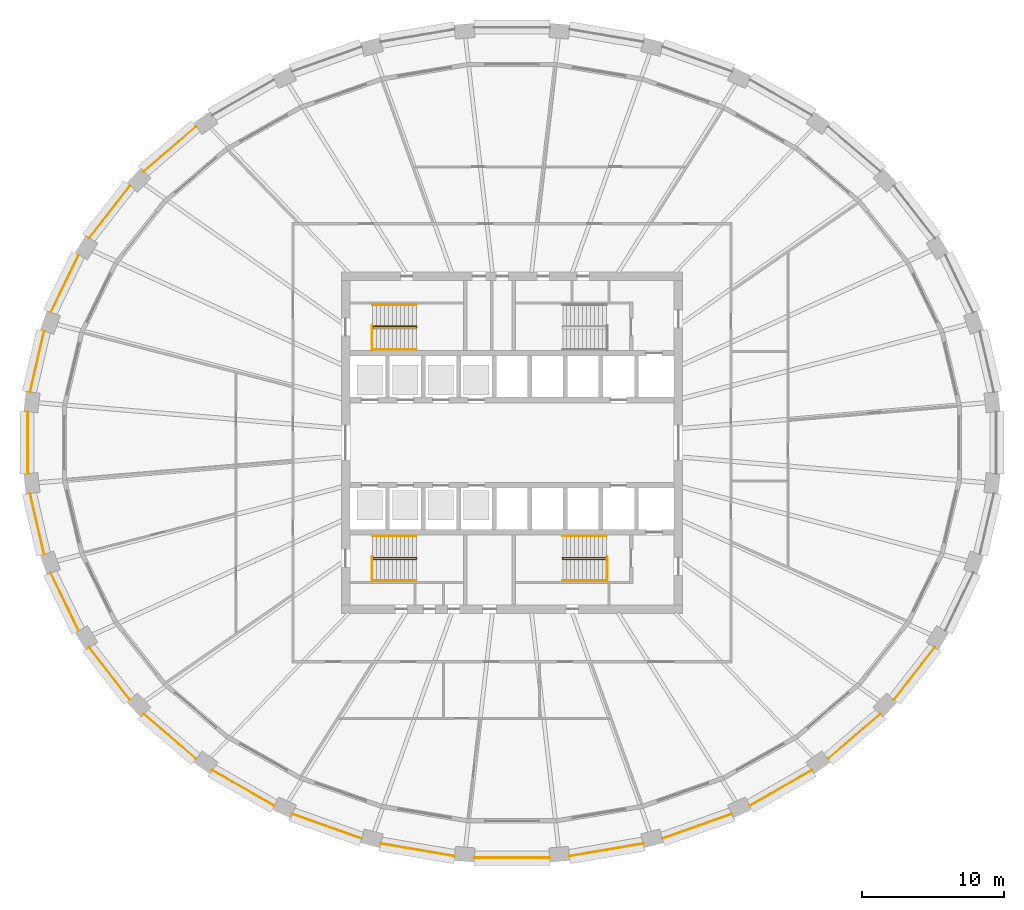
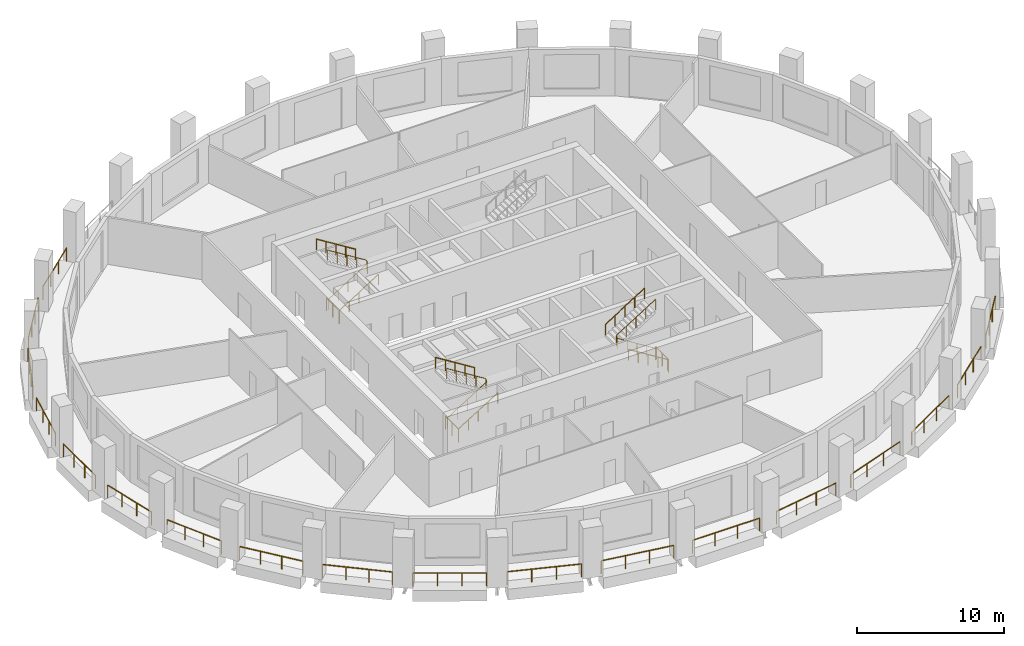
# One storey, part 9 of 11: 30 railings.
"""IFC4 building model written with IfcOpenShell, lengths in metres."""

from ifc_helpers import new_model, si_unit, direction, frame, origin, origin_2d, place, context, subcontext, project, spatial, circle, extrude, material, type_object, element, save


model = new_model("IFC4")

# Units and contexts
model_context = context("Model", 3, precision=1e-05, world=origin(), true_north=direction((0.0, 1.0)))
body_context = subcontext(model_context, "Body", "Model", "MODEL_VIEW")
ifc_project = project(units=[si_unit("LENGTHUNIT", "METRE"), si_unit("AREAUNIT", "SQUARE_METRE"), si_unit("VOLUMEUNIT", "CUBIC_METRE"), si_unit("PLANEANGLEUNIT", "RADIAN"), si_unit("MASSUNIT", "GRAM", prefix="KILO")], contexts=[model_context])

# Site, building, storey
site_placement = place(None, origin())
site = spatial("IfcSite", under=ifc_project, at=site_placement, CompositionType="ELEMENT")
building_placement = place(site_placement, origin())
building = spatial("IfcBuilding", under=site, at=building_placement, Name="Halqa Exchange Tower", CompositionType="ELEMENT")
storey_placement = place(building_placement, frame((0.0, 0.0, 150.699951171875)))
storey = spatial("IfcBuildingStorey", under=building, at=storey_placement, Name="L34", CompositionType="ELEMENT", Elevation=150.699951171875)

# Railings
ifc_material = material(Name="Stainless steel", Category="steel")
railing_type_1 = type_object("IfcRailingType", Name="Guard 1100 stainless steel", PredefinedType="GUARDRAIL", material=ifc_material)
railing_1_placement = place(storey_placement, frame((-22.239501953125, 22.216796875, 0.0)))
element("IfcRailing", 1, at=railing_1_placement, inside=storey, type_object=railing_type_1, Name="Loggia guard 12", PredefinedType="GUARDRAIL", context=body_context, shape_type="SweptSolid", body=[
    extrude(circle(Radius=0.02392578125, at=origin_2d()), frame((0.0, 0.0, 1.076171875), z_axis=(-0.759270824179, -0.650774780973, 0.0), x_axis=(0.650774780973, -0.759270824179, 0.0)), (0.0, 0.0, 1.0), 4.846923828125),
    extrude(circle(Radius=0.02099609375, at=origin_2d()), origin(), (0.0, 0.0, 1.0), 1.052001953125),
    extrude(circle(Radius=0.02099609375, at=origin_2d()), frame((-1.226806640625, -1.051513671875, 0.0)), (0.0, 0.0, 1.0), 1.052001953125),
    extrude(circle(Radius=0.02099609375, at=origin_2d()), frame((-2.453369140625, -2.102783203125, 0.0)), (0.0, 0.0, 1.0), 1.052001953125),
    extrude(circle(Radius=0.02099609375, at=origin_2d()), frame((-3.68017578125, -3.154296875, 0.0)), (0.0, 0.0, 1.0), 1.052001953125),
])
railing_2_placement = place(storey_placement, frame((-26.881591796875, 18.0546875, 0.0)))
element("IfcRailing", 2, at=railing_2_placement, inside=storey, type_object=railing_type_1, Name="Loggia guard 13", PredefinedType="GUARDRAIL", context=body_context, shape_type="SweptSolid", body=[
    extrude(circle(Radius=0.02392578125, at=origin_2d()), frame((0.0, 0.0, 1.076171875), z_axis=(-0.614803187678, -0.788680569319, 0.0), x_axis=(0.788680569319, -0.614803187678, 0.0)), (0.0, 0.0, 1.0), 4.66162109375),
    extrude(circle(Radius=0.02099609375, at=origin_2d()), origin(), (0.0, 0.0, 1.0), 1.052001953125),
    extrude(circle(Radius=0.02099609375, at=origin_2d()), frame((-0.955322265625, -1.2255859375, 0.0)), (0.0, 0.0, 1.0), 1.052001953125),
    extrude(circle(Radius=0.02099609375, at=origin_2d()), frame((-1.91064453125, -2.450927734375, 0.0)), (0.0, 0.0, 1.0), 1.052001953125),
    extrude(circle(Radius=0.02099609375, at=origin_2d()), frame((-2.865966796875, -3.676513671875, 0.0)), (0.0, 0.0, 1.0), 1.052001953125),
])
railing_3_placement = place(storey_placement, frame((-30.482421875, 13.19580078125, 0.0)))
element("IfcRailing", 3, at=railing_3_placement, inside=storey, type_object=railing_type_1, Name="Loggia guard 14", PredefinedType="GUARDRAIL", context=body_context, shape_type="SweptSolid", body=[
    extrude(circle(Radius=0.02392578125, at=origin_2d()), frame((0.0, 0.0, 1.076171875), z_axis=(-0.435128344221, -0.900368437949, 0.0), x_axis=(0.900368437949, -0.435128344221, 0.0)), (0.0, 0.0, 1.0), 4.499755859375),
    extrude(circle(Radius=0.02099609375, at=origin_2d()), origin(), (0.0, 0.0, 1.0), 1.052001953125),
    extrude(circle(Radius=0.02099609375, at=origin_2d()), frame((-0.652587890625, -1.3505859375, 0.0)), (0.0, 0.0, 1.0), 1.052001953125),
    extrude(circle(Radius=0.02099609375, at=origin_2d()), frame((-1.305419921875, -2.700927734375, 0.0)), (0.0, 0.0, 1.0), 1.052001953125),
    extrude(circle(Radius=0.02099609375, at=origin_2d()), frame((-1.9580078125, -4.051513671875, 0.0)), (0.0, 0.0, 1.0), 1.052001953125),
])
railing_4_placement = place(storey_placement, frame((-32.9033203125, 7.832275390625, 0.0)))
element("IfcRailing", 4, at=railing_4_placement, inside=storey, type_object=railing_type_1, Name="Loggia guard 15", PredefinedType="GUARDRAIL", context=body_context, shape_type="SweptSolid", body=[
    extrude(circle(Radius=0.02392578125, at=origin_2d()), frame((0.0, 0.0, 1.076171875), z_axis=(-0.226049596657, -0.974115793862, 0.0), x_axis=(0.974115793862, -0.226049596657, 0.0)), (0.0, 0.0, 1.0), 4.38916015625),
    extrude(circle(Radius=0.02099609375, at=origin_2d()), origin(), (0.0, 0.0, 1.0), 1.052001953125),
    extrude(circle(Radius=0.02099609375, at=origin_2d()), frame((-0.330810546875, -1.42529296875, 0.0)), (0.0, 0.0, 1.0), 1.052001953125),
    extrude(circle(Radius=0.02099609375, at=origin_2d()), frame((-0.661376953125, -2.850341796875, 0.0)), (0.0, 0.0, 1.0), 1.052001953125),
    extrude(circle(Radius=0.02099609375, at=origin_2d()), frame((-0.9921875, -4.275634765625, 0.0)), (0.0, 0.0, 1.0), 1.052001953125),
])
railing_5_placement = place(storey_placement, frame((-34.0537109375, 2.1748046875, 0.0)))
element("IfcRailing", 5, at=railing_5_placement, inside=storey, type_object=railing_type_1, Name="Loggia guard 16", PredefinedType="GUARDRAIL", context=body_context, shape_type="SweptSolid", body=[
    extrude(circle(Radius=0.02392578125, at=origin_2d()), frame((0.0, 0.0, 1.076171875), z_axis=(0.0, -1.0, 0.0), x_axis=(1.0, 0.0, 0.0)), (0.0, 0.0, 1.0), 4.349609375),
    extrude(circle(Radius=0.02099609375, at=origin_2d()), origin(), (0.0, 0.0, 1.0), 1.052001953125),
    extrude(circle(Radius=0.02099609375, at=origin_2d()), frame((0.0, -1.449951171875, 0.0)), (0.0, 0.0, 1.0), 1.052001953125),
    extrude(circle(Radius=0.02099609375, at=origin_2d()), frame((0.0, -2.899658203125, 0.0)), (0.0, 0.0, 1.0), 1.052001953125),
    extrude(circle(Radius=0.02099609375, at=origin_2d()), frame((0.0, -4.349609375, 0.0)), (0.0, 0.0, 1.0), 1.052001953125),
])
railing_6_placement = place(storey_placement, frame((-33.8955078125, -3.556640625, 0.0)))
element("IfcRailing", 6, at=railing_6_placement, inside=storey, type_object=railing_type_1, Name="Loggia guard 17", PredefinedType="GUARDRAIL", context=body_context, shape_type="SweptSolid", body=[
    extrude(circle(Radius=0.02392578125, at=origin_2d()), frame((0.0, 0.0, 1.076171875), z_axis=(0.226049596657, -0.974115793862, 0.0), x_axis=(0.974115793862, 0.226049596657, 0.0)), (0.0, 0.0, 1.0), 4.38916015625),
    extrude(circle(Radius=0.02099609375, at=origin_2d()), origin(), (0.0, 0.0, 1.0), 1.052001953125),
    extrude(circle(Radius=0.02099609375, at=origin_2d()), frame((0.330810546875, -1.42529296875, 0.0)), (0.0, 0.0, 1.0), 1.052001953125),
    extrude(circle(Radius=0.02099609375, at=origin_2d()), frame((0.661376953125, -2.850341796875, 0.0)), (0.0, 0.0, 1.0), 1.052001953125),
    extrude(circle(Radius=0.02099609375, at=origin_2d()), frame((0.9921875, -4.275634765625, 0.0)), (0.0, 0.0, 1.0), 1.052001953125),
])
railing_7_placement = place(storey_placement, frame((-32.4404296875, -9.144287109375, 0.0)))
element("IfcRailing", 7, at=railing_7_placement, inside=storey, type_object=railing_type_1, Name="Loggia guard 18", PredefinedType="GUARDRAIL", context=body_context, shape_type="SweptSolid", body=[
    extrude(circle(Radius=0.02392578125, at=origin_2d()), frame((0.0, 0.0, 1.076171875), z_axis=(0.435128344221, -0.900368437949, 0.0), x_axis=(0.900368437949, 0.435128344221, 0.0)), (0.0, 0.0, 1.0), 4.499755859375),
    extrude(circle(Radius=0.02099609375, at=origin_2d()), origin(), (0.0, 0.0, 1.0), 1.052001953125),
    extrude(circle(Radius=0.02099609375, at=origin_2d()), frame((0.652587890625, -1.3505859375, 0.0)), (0.0, 0.0, 1.0), 1.052001953125),
    extrude(circle(Radius=0.02099609375, at=origin_2d()), frame((1.305419921875, -2.700927734375, 0.0)), (0.0, 0.0, 1.0), 1.052001953125),
    extrude(circle(Radius=0.02099609375, at=origin_2d()), frame((1.9580078125, -4.051513671875, 0.0)), (0.0, 0.0, 1.0), 1.052001953125),
])
railing_8_placement = place(storey_placement, frame((-29.74755859375, -14.378173828125, 0.0)))
element("IfcRailing", 8, at=railing_8_placement, inside=storey, type_object=railing_type_1, Name="Loggia guard 19", PredefinedType="GUARDRAIL", context=body_context, shape_type="SweptSolid", body=[
    extrude(circle(Radius=0.02392578125, at=origin_2d()), frame((0.0, 0.0, 1.076171875), z_axis=(0.614803187678, -0.788680569319, 0.0), x_axis=(0.788680569319, 0.614803187678, 0.0)), (0.0, 0.0, 1.0), 4.66162109375),
    extrude(circle(Radius=0.02099609375, at=origin_2d()), origin(), (0.0, 0.0, 1.0), 1.052001953125),
    extrude(circle(Radius=0.02099609375, at=origin_2d()), frame((0.955322265625, -1.2255859375, 0.0)), (0.0, 0.0, 1.0), 1.052001953125),
    extrude(circle(Radius=0.02099609375, at=origin_2d()), frame((1.91064453125, -2.450927734375, 0.0)), (0.0, 0.0, 1.0), 1.052001953125),
    extrude(circle(Radius=0.02099609375, at=origin_2d()), frame((2.865966796875, -3.676513671875, 0.0)), (0.0, 0.0, 1.0), 1.052001953125),
])
railing_9_placement = place(storey_placement, frame((-25.919677734375, -19.0625, 0.0)))
element("IfcRailing", 9, at=railing_9_placement, inside=storey, type_object=railing_type_1, Name="Loggia guard 20", PredefinedType="GUARDRAIL", context=body_context, shape_type="SweptSolid", body=[
    extrude(circle(Radius=0.02392578125, at=origin_2d()), frame((0.0, 0.0, 1.076171875), z_axis=(0.759270824179, -0.650774780973, 0.0), x_axis=(0.650774780973, 0.759270824179, 0.0)), (0.0, 0.0, 1.0), 4.846923828125),
    extrude(circle(Radius=0.02099609375, at=origin_2d()), origin(), (0.0, 0.0, 1.0), 1.052001953125),
    extrude(circle(Radius=0.02099609375, at=origin_2d()), frame((1.226806640625, -1.051513671875, 0.0)), (0.0, 0.0, 1.0), 1.052001953125),
    extrude(circle(Radius=0.02099609375, at=origin_2d()), frame((2.453369140625, -2.102783203125, 0.0)), (0.0, 0.0, 1.0), 1.052001953125),
    extrude(circle(Radius=0.02099609375, at=origin_2d()), frame((3.68017578125, -3.154296875, 0.0)), (0.0, 0.0, 1.0), 1.052001953125),
])
railing_10_placement = place(storey_placement, frame((-21.1005859375, -23.0205078125, 0.0)))
element("IfcRailing", 10, at=railing_10_placement, inside=storey, type_object=railing_type_1, Name="Loggia guard 21", PredefinedType="GUARDRAIL", context=body_context, shape_type="SweptSolid", body=[
    extrude(circle(Radius=0.02392578125, at=origin_2d()), frame((0.0, 0.0, 1.076171875), z_axis=(0.867791535893, -0.496928415601, 0.0), x_axis=(0.496928415601, 0.867791535893, 0.0)), (0.0, 0.0, 1.0), 5.027587890625),
    extrude(circle(Radius=0.02099609375, at=origin_2d()), origin(), (0.0, 0.0, 1.0), 1.052001953125),
    extrude(circle(Radius=0.02099609375, at=origin_2d()), frame((1.454345703125, -0.832763671875, 0.0)), (0.0, 0.0, 1.0), 1.052001953125),
    extrude(circle(Radius=0.02099609375, at=origin_2d()), frame((2.908447265625, -1.66552734375, 0.0)), (0.0, 0.0, 1.0), 1.052001953125),
    extrude(circle(Radius=0.02099609375, at=origin_2d()), frame((4.36279296875, -2.498291015625, 0.0)), (0.0, 0.0, 1.0), 1.052001953125),
])
railing_11_placement = place(storey_placement, frame((-15.470703125, -26.10107421875, 0.0)))
element("IfcRailing", 11, at=railing_11_placement, inside=storey, type_object=railing_type_1, Name="Loggia guard 22", PredefinedType="GUARDRAIL", context=body_context, shape_type="SweptSolid", body=[
    extrude(circle(Radius=0.02392578125, at=origin_2d()), frame((0.0, 0.0, 1.076171875), z_axis=(0.942363475119, -0.33459091554, 0.0), x_axis=(0.33459091554, 0.942363475119, 0.0)), (0.0, 0.0, 1.0), 5.17626953125),
    extrude(circle(Radius=0.02099609375, at=origin_2d()), origin(), (0.0, 0.0, 1.0), 1.052001953125),
    extrude(circle(Radius=0.02099609375, at=origin_2d()), frame((1.6259765625, -0.577392578125, 0.0)), (0.0, 0.0, 1.0), 1.052001953125),
    extrude(circle(Radius=0.02099609375, at=origin_2d()), frame((3.251953125, -1.154541015625, 0.0)), (0.0, 0.0, 1.0), 1.052001953125),
    extrude(circle(Radius=0.02099609375, at=origin_2d()), frame((4.8779296875, -1.73193359375, 0.0)), (0.0, 0.0, 1.0), 1.052001953125),
])
railing_12_placement = place(storey_placement, frame((-9.2431640625, -28.184814453125, 0.0)))
element("IfcRailing", 12, at=railing_12_placement, inside=storey, type_object=railing_type_1, Name="Loggia guard 23", PredefinedType="GUARDRAIL", context=body_context, shape_type="SweptSolid", body=[
    extrude(circle(Radius=0.02392578125, at=origin_2d()), frame((0.0, 0.0, 1.076171875), z_axis=(0.985774047585, -0.168075956366, 0.0), x_axis=(0.168075956366, 0.985774047585, 0.0)), (0.0, 0.0, 1.0), 5.274169921875),
    extrude(circle(Radius=0.02099609375, at=origin_2d()), origin(), (0.0, 0.0, 1.0), 1.052001953125),
    extrude(circle(Radius=0.02099609375, at=origin_2d()), frame((1.733154296875, -0.29541015625, 0.0)), (0.0, 0.0, 1.0), 1.052001953125),
    extrude(circle(Radius=0.02099609375, at=origin_2d()), frame((3.466064453125, -0.591064453125, 0.0)), (0.0, 0.0, 1.0), 1.052001953125),
    extrude(circle(Radius=0.02099609375, at=origin_2d()), frame((5.19921875, -0.886474609375, 0.0)), (0.0, 0.0, 1.0), 1.052001953125),
])
railing_13_placement = place(storey_placement, frame((-2.654052734375, -29.18896484375, 0.0)))
element("IfcRailing", 13, at=railing_13_placement, inside=storey, type_object=railing_type_1, Name="Loggia guard 24", PredefinedType="GUARDRAIL", context=body_context, shape_type="SweptSolid", body=[
    extrude(circle(Radius=0.02392578125, at=origin_2d()), frame((0.0, 0.0, 1.076171875), z_axis=(1.0, 0.0, 0.0), x_axis=(0.0, 1.0, 0.0)), (0.0, 0.0, 1.0), 5.30810546875),
    extrude(circle(Radius=0.02099609375, at=origin_2d()), origin(), (0.0, 0.0, 1.0), 1.052001953125),
    extrude(circle(Radius=0.02099609375, at=origin_2d()), frame((1.769287109375, 0.0, 0.0)), (0.0, 0.0, 1.0), 1.052001953125),
    extrude(circle(Radius=0.02099609375, at=origin_2d()), frame((3.538818359375, 0.0, 0.0)), (0.0, 0.0, 1.0), 1.052001953125),
    extrude(circle(Radius=0.02099609375, at=origin_2d()), frame((5.30810546875, 0.0, 0.0)), (0.0, 0.0, 1.0), 1.052001953125),
])
railing_14_placement = place(storey_placement, frame((4.0439453125, -29.0712890625, 0.0)))
element("IfcRailing", 14, at=railing_14_placement, inside=storey, type_object=railing_type_1, Name="Loggia guard 25", PredefinedType="GUARDRAIL", context=body_context, shape_type="SweptSolid", body=[
    extrude(circle(Radius=0.02392578125, at=origin_2d()), frame((0.0, 0.0, 1.076171875), z_axis=(0.985774047585, 0.168075956366, 0.0), x_axis=(-0.168075956366, 0.985774047585, 0.0)), (0.0, 0.0, 1.0), 5.274169921875),
    extrude(circle(Radius=0.02099609375, at=origin_2d()), origin(), (0.0, 0.0, 1.0), 1.052001953125),
    extrude(circle(Radius=0.02099609375, at=origin_2d()), frame((1.733154296875, 0.29541015625, 0.0)), (0.0, 0.0, 1.0), 1.052001953125),
    extrude(circle(Radius=0.02099609375, at=origin_2d()), frame((3.466064453125, 0.591064453125, 0.0)), (0.0, 0.0, 1.0), 1.052001953125),
    extrude(circle(Radius=0.02099609375, at=origin_2d()), frame((5.19921875, 0.886474609375, 0.0)), (0.0, 0.0, 1.0), 1.052001953125),
])
railing_15_placement = place(storey_placement, frame((10.5927734375, -27.8330078125, 0.0)))
element("IfcRailing", 15, at=railing_15_placement, inside=storey, type_object=railing_type_1, Name="Loggia guard 26", PredefinedType="GUARDRAIL", context=body_context, shape_type="SweptSolid", body=[
    extrude(circle(Radius=0.02392578125, at=origin_2d()), frame((0.0, 0.0, 1.076171875), z_axis=(0.942363475119, 0.33459091554, 0.0), x_axis=(-0.33459091554, 0.942363475119, 0.0)), (0.0, 0.0, 1.0), 5.17626953125),
    extrude(circle(Radius=0.02099609375, at=origin_2d()), origin(), (0.0, 0.0, 1.0), 1.052001953125),
    extrude(circle(Radius=0.02099609375, at=origin_2d()), frame((1.6259765625, 0.577392578125, 0.0)), (0.0, 0.0, 1.0), 1.052001953125),
    extrude(circle(Radius=0.02099609375, at=origin_2d()), frame((3.251953125, 1.154541015625, 0.0)), (0.0, 0.0, 1.0), 1.052001953125),
    extrude(circle(Radius=0.02099609375, at=origin_2d()), frame((4.8779296875, 1.73193359375, 0.0)), (0.0, 0.0, 1.0), 1.052001953125),
])
railing_16_placement = place(storey_placement, frame((16.73779296875, -25.518798828125, 0.0)))
element("IfcRailing", 16, at=railing_16_placement, inside=storey, type_object=railing_type_1, Name="Loggia guard 27", PredefinedType="GUARDRAIL", context=body_context, shape_type="SweptSolid", body=[
    extrude(circle(Radius=0.02392578125, at=origin_2d()), frame((0.0, 0.0, 1.076171875), z_axis=(0.867791535893, 0.496928415601, 0.0), x_axis=(-0.496928415601, 0.867791535893, 0.0)), (0.0, 0.0, 1.0), 5.027587890625),
    extrude(circle(Radius=0.02099609375, at=origin_2d()), origin(), (0.0, 0.0, 1.0), 1.052001953125),
    extrude(circle(Radius=0.02099609375, at=origin_2d()), frame((1.454345703125, 0.832763671875, 0.0)), (0.0, 0.0, 1.0), 1.052001953125),
    extrude(circle(Radius=0.02099609375, at=origin_2d()), frame((2.908447265625, 1.66552734375, 0.0)), (0.0, 0.0, 1.0), 1.052001953125),
    extrude(circle(Radius=0.02099609375, at=origin_2d()), frame((4.36279296875, 2.498291015625, 0.0)), (0.0, 0.0, 1.0), 1.052001953125),
])
railing_17_placement = place(storey_placement, frame((22.239501953125, -22.216796875, 0.0)))
element("IfcRailing", 17, at=railing_17_placement, inside=storey, type_object=railing_type_1, Name="Loggia guard 28", PredefinedType="GUARDRAIL", context=body_context, shape_type="SweptSolid", body=[
    extrude(circle(Radius=0.02392578125, at=origin_2d()), frame((0.0, 0.0, 1.076171875), z_axis=(0.759270824179, 0.650774780973, 0.0), x_axis=(-0.650774780973, 0.759270824179, 0.0)), (0.0, 0.0, 1.0), 4.846923828125),
    extrude(circle(Radius=0.02099609375, at=origin_2d()), origin(), (0.0, 0.0, 1.0), 1.052001953125),
    extrude(circle(Radius=0.02099609375, at=origin_2d()), frame((1.226806640625, 1.051513671875, 0.0)), (0.0, 0.0, 1.0), 1.052001953125),
    extrude(circle(Radius=0.02099609375, at=origin_2d()), frame((2.453369140625, 2.102783203125, 0.0)), (0.0, 0.0, 1.0), 1.052001953125),
    extrude(circle(Radius=0.02099609375, at=origin_2d()), frame((3.68017578125, 3.154296875, 0.0)), (0.0, 0.0, 1.0), 1.052001953125),
])
railing_18_placement = place(storey_placement, frame((26.881591796875, -18.0546875, 0.0)))
element("IfcRailing", 18, at=railing_18_placement, inside=storey, type_object=railing_type_1, Name="Loggia guard 29", PredefinedType="GUARDRAIL", context=body_context, shape_type="SweptSolid", body=[
    extrude(circle(Radius=0.02392578125, at=origin_2d()), frame((0.0, 0.0, 1.076171875), z_axis=(0.614803187678, 0.788680569319, 0.0), x_axis=(-0.788680569319, 0.614803187678, 0.0)), (0.0, 0.0, 1.0), 4.66162109375),
    extrude(circle(Radius=0.02099609375, at=origin_2d()), origin(), (0.0, 0.0, 1.0), 1.052001953125),
    extrude(circle(Radius=0.02099609375, at=origin_2d()), frame((0.955322265625, 1.2255859375, 0.0)), (0.0, 0.0, 1.0), 1.052001953125),
    extrude(circle(Radius=0.02099609375, at=origin_2d()), frame((1.91064453125, 2.450927734375, 0.0)), (0.0, 0.0, 1.0), 1.052001953125),
    extrude(circle(Radius=0.02099609375, at=origin_2d()), frame((2.865966796875, 3.676513671875, 0.0)), (0.0, 0.0, 1.0), 1.052001953125),
])
railing_type_2 = type_object("IfcRailingType", Name="Stair handrail 900", PredefinedType="HANDRAIL", material=ifc_material)
railing_19_placement = place(storey_placement, frame((-9.800048828125, 8.06005859375, 0.175048828125)))
element("IfcRailing", 19, at=railing_19_placement, inside=storey, type_object=railing_type_2, Name="Handrail ST1.1", PredefinedType="HANDRAIL", context=body_context, shape_type="SweptSolid", body=[
    extrude(circle(Radius=0.02392578125, at=origin_2d()), frame((0.0, 0.0, 0.8759765625), z_axis=(0.847998304005, 0.0, 0.529998940003), x_axis=(0.0, 1.0, 0.0)), (0.0, 0.0, 1.0), 3.632080078125),
    extrude(circle(Radius=0.02392578125, at=origin_2d()), frame((3.080078125, 0.0, 2.80078125), z_axis=(0.0, 0.595870227118, 0.803080738428), x_axis=(-1.0, 0.0, 0.0)), (0.0, 0.0, 1.0), 0.218017578125),
    extrude(circle(Radius=0.02392578125, at=origin_2d()), frame((3.080078125, 0.1298828125, 2.97607421875), z_axis=(-0.848028513186, 0.0, 0.529950602248), x_axis=(0.0, -1.0, 0.0)), (0.0, 0.0, 1.0), 3.632080078125),
    extrude(circle(Radius=0.02099609375, at=origin_2d()), origin(), (0.0, 0.0, 1.0), 0.851806640625),
    extrude(circle(Radius=0.02099609375, at=origin_2d()), frame((0.77001953125, 0.0, 0.481201171875)), (0.0, 0.0, 1.0), 0.851806640625),
    extrude(circle(Radius=0.02099609375, at=origin_2d()), frame((1.5400390625, 0.0, 0.96240234375)), (0.0, 0.0, 1.0), 0.851806640625),
    extrude(circle(Radius=0.02099609375, at=origin_2d()), frame((2.31005859375, 0.0, 1.44384765625)), (0.0, 0.0, 1.0), 0.851806640625),
    extrude(circle(Radius=0.02099609375, at=origin_2d()), frame((3.080078125, 0.0, 1.925048828125)), (0.0, 0.0, 1.0), 0.851806640625),
    extrude(circle(Radius=0.02099609375, at=origin_2d()), frame((3.080078125, 0.1298828125, 2.10009765625)), (0.0, 0.0, 1.0), 0.851806640625),
    extrude(circle(Radius=0.02099609375, at=origin_2d()), frame((2.31005859375, 0.1298828125, 2.581298828125)), (0.0, 0.0, 1.0), 0.851806640625),
    extrude(circle(Radius=0.02099609375, at=origin_2d()), frame((1.5400390625, 0.1298828125, 3.0625)), (0.0, 0.0, 1.0), 0.851806640625),
    extrude(circle(Radius=0.02099609375, at=origin_2d()), frame((0.77001953125, 0.1298828125, 3.543701171875)), (0.0, 0.0, 1.0), 0.851806640625),
    extrude(circle(Radius=0.02099609375, at=origin_2d()), frame((0.0, 0.1298828125, 4.02490234375)), (0.0, 0.0, 1.0), 0.851806640625),
])
railing_20_placement = place(storey_placement, frame((-9.800048828125, 6.550048828125, 0.175048828125)))
element("IfcRailing", 20, at=railing_20_placement, inside=storey, type_object=railing_type_2, Name="Handrail ST1.2", PredefinedType="HANDRAIL", context=body_context, shape_type="SweptSolid", body=[
    extrude(circle(Radius=0.02392578125, at=origin_2d()), frame((0.0, 0.0, 0.8759765625), z_axis=(0.847998304005, 0.0, 0.529998940003), x_axis=(0.0, 1.0, 0.0)), (0.0, 0.0, 1.0), 3.632080078125),
    extrude(circle(Radius=0.02099609375, at=origin_2d()), origin(), (0.0, 0.0, 1.0), 0.851806640625),
    extrude(circle(Radius=0.02099609375, at=origin_2d()), frame((0.77001953125, 0.0, 0.481201171875)), (0.0, 0.0, 1.0), 0.851806640625),
    extrude(circle(Radius=0.02099609375, at=origin_2d()), frame((1.5400390625, 0.0, 0.96240234375)), (0.0, 0.0, 1.0), 0.851806640625),
    extrude(circle(Radius=0.02099609375, at=origin_2d()), frame((2.31005859375, 0.0, 1.44384765625)), (0.0, 0.0, 1.0), 0.851806640625),
    extrude(circle(Radius=0.02099609375, at=origin_2d()), frame((3.080078125, 0.0, 1.925048828125)), (0.0, 0.0, 1.0), 0.851806640625),
])
railing_21_placement = place(storey_placement, frame((-6.719970703125, 9.699951171875, 2.275146484375)))
element("IfcRailing", 21, at=railing_21_placement, inside=storey, type_object=railing_type_2, Name="Handrail ST1.3", PredefinedType="HANDRAIL", context=body_context, shape_type="SweptSolid", body=[
    extrude(circle(Radius=0.02392578125, at=origin_2d()), frame((0.0, 0.0, 0.8759765625), z_axis=(-0.848028513186, 0.0, 0.529950602248), x_axis=(0.0, -1.0, 0.0)), (0.0, 0.0, 1.0), 3.632080078125),
    extrude(circle(Radius=0.02099609375, at=origin_2d()), origin(), (0.0, 0.0, 1.0), 0.851806640625),
    extrude(circle(Radius=0.02099609375, at=origin_2d()), frame((-0.77001953125, 0.0, 0.481201171875)), (0.0, 0.0, 1.0), 0.851806640625),
    extrude(circle(Radius=0.02099609375, at=origin_2d()), frame((-1.5400390625, 0.0, 0.96240234375)), (0.0, 0.0, 1.0), 0.851806640625),
    extrude(circle(Radius=0.02099609375, at=origin_2d()), frame((-2.31005859375, 0.0, 1.443603515625)), (0.0, 0.0, 1.0), 0.851806640625),
    extrude(circle(Radius=0.02099609375, at=origin_2d()), frame((-3.080078125, 0.0, 1.9248046875)), (0.0, 0.0, 1.0), 0.851806640625),
])
railing_22_placement = place(storey_placement, frame((-9.800048828125, -8.18994140625, 0.175048828125)))
element("IfcRailing", 22, at=railing_22_placement, inside=storey, type_object=railing_type_2, Name="Handrail ST3.1", PredefinedType="HANDRAIL", context=body_context, shape_type="SweptSolid", body=[
    extrude(circle(Radius=0.02392578125, at=origin_2d()), frame((0.0, 0.0, 0.8759765625), z_axis=(0.847998304005, 0.0, 0.529998940003), x_axis=(0.0, 1.0, 0.0)), (0.0, 0.0, 1.0), 3.632080078125),
    extrude(circle(Radius=0.02392578125, at=origin_2d()), frame((3.080078125, 0.0, 2.80078125), z_axis=(0.0, 0.595870227118, 0.803080738428), x_axis=(-1.0, 0.0, 0.0)), (0.0, 0.0, 1.0), 0.218017578125),
    extrude(circle(Radius=0.02392578125, at=origin_2d()), frame((3.080078125, 0.1298828125, 2.97607421875), z_axis=(-0.848028513186, 0.0, 0.529950602248), x_axis=(0.0, -1.0, 0.0)), (0.0, 0.0, 1.0), 3.632080078125),
    extrude(circle(Radius=0.02099609375, at=origin_2d()), origin(), (0.0, 0.0, 1.0), 0.851806640625),
    extrude(circle(Radius=0.02099609375, at=origin_2d()), frame((0.77001953125, 0.0, 0.481201171875)), (0.0, 0.0, 1.0), 0.851806640625),
    extrude(circle(Radius=0.02099609375, at=origin_2d()), frame((1.5400390625, 0.0, 0.96240234375)), (0.0, 0.0, 1.0), 0.851806640625),
    extrude(circle(Radius=0.02099609375, at=origin_2d()), frame((2.31005859375, 0.0, 1.44384765625)), (0.0, 0.0, 1.0), 0.851806640625),
    extrude(circle(Radius=0.02099609375, at=origin_2d()), frame((3.080078125, 0.0, 1.925048828125)), (0.0, 0.0, 1.0), 0.851806640625),
    extrude(circle(Radius=0.02099609375, at=origin_2d()), frame((3.080078125, 0.1298828125, 2.10009765625)), (0.0, 0.0, 1.0), 0.851806640625),
    extrude(circle(Radius=0.02099609375, at=origin_2d()), frame((2.31005859375, 0.1298828125, 2.581298828125)), (0.0, 0.0, 1.0), 0.851806640625),
    extrude(circle(Radius=0.02099609375, at=origin_2d()), frame((1.5400390625, 0.1298828125, 3.0625)), (0.0, 0.0, 1.0), 0.851806640625),
    extrude(circle(Radius=0.02099609375, at=origin_2d()), frame((0.77001953125, 0.1298828125, 3.543701171875)), (0.0, 0.0, 1.0), 0.851806640625),
    extrude(circle(Radius=0.02099609375, at=origin_2d()), frame((0.0, 0.1298828125, 4.02490234375)), (0.0, 0.0, 1.0), 0.851806640625),
])
railing_23_placement = place(storey_placement, frame((-9.800048828125, -9.699951171875, 0.175048828125)))
element("IfcRailing", 23, at=railing_23_placement, inside=storey, type_object=railing_type_2, Name="Handrail ST3.2", PredefinedType="HANDRAIL", context=body_context, shape_type="SweptSolid", body=[
    extrude(circle(Radius=0.02392578125, at=origin_2d()), frame((0.0, 0.0, 0.8759765625), z_axis=(0.847998304005, 0.0, 0.529998940003), x_axis=(0.0, 1.0, 0.0)), (0.0, 0.0, 1.0), 3.632080078125),
    extrude(circle(Radius=0.02099609375, at=origin_2d()), origin(), (0.0, 0.0, 1.0), 0.851806640625),
    extrude(circle(Radius=0.02099609375, at=origin_2d()), frame((0.77001953125, 0.0, 0.481201171875)), (0.0, 0.0, 1.0), 0.851806640625),
    extrude(circle(Radius=0.02099609375, at=origin_2d()), frame((1.5400390625, 0.0, 0.96240234375)), (0.0, 0.0, 1.0), 0.851806640625),
    extrude(circle(Radius=0.02099609375, at=origin_2d()), frame((2.31005859375, 0.0, 1.44384765625)), (0.0, 0.0, 1.0), 0.851806640625),
    extrude(circle(Radius=0.02099609375, at=origin_2d()), frame((3.080078125, 0.0, 1.925048828125)), (0.0, 0.0, 1.0), 0.851806640625),
])
railing_24_placement = place(storey_placement, frame((-6.719970703125, -6.550048828125, 2.275146484375)))
element("IfcRailing", 24, at=railing_24_placement, inside=storey, type_object=railing_type_2, Name="Handrail ST3.3", PredefinedType="HANDRAIL", context=body_context, shape_type="SweptSolid", body=[
    extrude(circle(Radius=0.02392578125, at=origin_2d()), frame((0.0, 0.0, 0.8759765625), z_axis=(-0.848028513186, 0.0, 0.529950602248), x_axis=(0.0, -1.0, 0.0)), (0.0, 0.0, 1.0), 3.632080078125),
    extrude(circle(Radius=0.02099609375, at=origin_2d()), origin(), (0.0, 0.0, 1.0), 0.851806640625),
    extrude(circle(Radius=0.02099609375, at=origin_2d()), frame((-0.77001953125, 0.0, 0.481201171875)), (0.0, 0.0, 1.0), 0.851806640625),
    extrude(circle(Radius=0.02099609375, at=origin_2d()), frame((-1.5400390625, 0.0, 0.96240234375)), (0.0, 0.0, 1.0), 0.851806640625),
    extrude(circle(Radius=0.02099609375, at=origin_2d()), frame((-2.31005859375, 0.0, 1.443603515625)), (0.0, 0.0, 1.0), 0.851806640625),
    extrude(circle(Radius=0.02099609375, at=origin_2d()), frame((-3.080078125, 0.0, 1.9248046875)), (0.0, 0.0, 1.0), 0.851806640625),
])
railing_25_placement = place(storey_placement, frame((6.64990234375, -8.18994140625, 0.175048828125)))
element("IfcRailing", 25, at=railing_25_placement, inside=storey, type_object=railing_type_2, Name="Handrail ST4.1", PredefinedType="HANDRAIL", context=body_context, shape_type="SweptSolid", body=[
    extrude(circle(Radius=0.02392578125, at=origin_2d()), frame((0.0, 0.0, 0.8759765625), z_axis=(-0.847979421464, 0.0, 0.530029150871), x_axis=(0.0, -1.0, 0.0)), (0.0, 0.0, 1.0), 3.632080078125),
    extrude(circle(Radius=0.02392578125, at=origin_2d()), frame((-3.079833984375, 0.0, 2.80078125), z_axis=(0.0, 0.595870227118, 0.803080738428), x_axis=(-1.0, 0.0, 0.0)), (0.0, 0.0, 1.0), 0.218017578125),
    extrude(circle(Radius=0.02392578125, at=origin_2d()), frame((-3.079833984375, 0.1298828125, 2.97607421875), z_axis=(0.848009633417, 0.0, 0.529980812513), x_axis=(0.0, 1.0, 0.0)), (0.0, 0.0, 1.0), 3.6318359375),
    extrude(circle(Radius=0.02099609375, at=origin_2d()), origin(), (0.0, 0.0, 1.0), 0.851806640625),
    extrude(circle(Radius=0.02099609375, at=origin_2d()), frame((-0.77001953125, 0.0, 0.481201171875)), (0.0, 0.0, 1.0), 0.851806640625),
    extrude(circle(Radius=0.02099609375, at=origin_2d()), frame((-1.5400390625, 0.0, 0.96240234375)), (0.0, 0.0, 1.0), 0.851806640625),
    extrude(circle(Radius=0.02099609375, at=origin_2d()), frame((-2.309814453125, 0.0, 1.44384765625)), (0.0, 0.0, 1.0), 0.851806640625),
    extrude(circle(Radius=0.02099609375, at=origin_2d()), frame((-3.079833984375, 0.0, 1.925048828125)), (0.0, 0.0, 1.0), 0.851806640625),
    extrude(circle(Radius=0.02099609375, at=origin_2d()), frame((-3.079833984375, 0.1298828125, 2.10009765625)), (0.0, 0.0, 1.0), 0.851806640625),
    extrude(circle(Radius=0.02099609375, at=origin_2d()), frame((-2.309814453125, 0.1298828125, 2.581298828125)), (0.0, 0.0, 1.0), 0.851806640625),
    extrude(circle(Radius=0.02099609375, at=origin_2d()), frame((-1.5400390625, 0.1298828125, 3.0625)), (0.0, 0.0, 1.0), 0.851806640625),
    extrude(circle(Radius=0.02099609375, at=origin_2d()), frame((-0.77001953125, 0.1298828125, 3.543701171875)), (0.0, 0.0, 1.0), 0.851806640625),
    extrude(circle(Radius=0.02099609375, at=origin_2d()), frame((0.0, 0.1298828125, 4.02490234375)), (0.0, 0.0, 1.0), 0.851806640625),
])
railing_26_placement = place(storey_placement, frame((6.64990234375, -9.699951171875, 0.175048828125)))
element("IfcRailing", 26, at=railing_26_placement, inside=storey, type_object=railing_type_2, Name="Handrail ST4.2", PredefinedType="HANDRAIL", context=body_context, shape_type="SweptSolid", body=[
    extrude(circle(Radius=0.02392578125, at=origin_2d()), frame((0.0, 0.0, 0.8759765625), z_axis=(-0.847979421464, 0.0, 0.530029150871), x_axis=(0.0, -1.0, 0.0)), (0.0, 0.0, 1.0), 3.632080078125),
    extrude(circle(Radius=0.02099609375, at=origin_2d()), origin(), (0.0, 0.0, 1.0), 0.851806640625),
    extrude(circle(Radius=0.02099609375, at=origin_2d()), frame((-0.77001953125, 0.0, 0.481201171875)), (0.0, 0.0, 1.0), 0.851806640625),
    extrude(circle(Radius=0.02099609375, at=origin_2d()), frame((-1.5400390625, 0.0, 0.96240234375)), (0.0, 0.0, 1.0), 0.851806640625),
    extrude(circle(Radius=0.02099609375, at=origin_2d()), frame((-2.309814453125, 0.0, 1.44384765625)), (0.0, 0.0, 1.0), 0.851806640625),
    extrude(circle(Radius=0.02099609375, at=origin_2d()), frame((-3.079833984375, 0.0, 1.925048828125)), (0.0, 0.0, 1.0), 0.851806640625),
])
railing_27_placement = place(storey_placement, frame((3.570068359375, -6.550048828125, 2.275146484375)))
element("IfcRailing", 27, at=railing_27_placement, inside=storey, type_object=railing_type_2, Name="Handrail ST4.3", PredefinedType="HANDRAIL", context=body_context, shape_type="SweptSolid", body=[
    extrude(circle(Radius=0.02392578125, at=origin_2d()), frame((0.0, 0.0, 0.8759765625), z_axis=(0.848009633417, 0.0, 0.529980812513), x_axis=(0.0, 1.0, 0.0)), (0.0, 0.0, 1.0), 3.6318359375),
    extrude(circle(Radius=0.02099609375, at=origin_2d()), origin(), (0.0, 0.0, 1.0), 0.851806640625),
    extrude(circle(Radius=0.02099609375, at=origin_2d()), frame((0.77001953125, 0.0, 0.481201171875)), (0.0, 0.0, 1.0), 0.851806640625),
    extrude(circle(Radius=0.02099609375, at=origin_2d()), frame((1.5400390625, 0.0, 0.96240234375)), (0.0, 0.0, 1.0), 0.851806640625),
    extrude(circle(Radius=0.02099609375, at=origin_2d()), frame((2.309814453125, 0.0, 1.443603515625)), (0.0, 0.0, 1.0), 0.851806640625),
    extrude(circle(Radius=0.02099609375, at=origin_2d()), frame((3.079833984375, 0.0, 1.9248046875)), (0.0, 0.0, 1.0), 0.851806640625),
])
railing_type_3 = type_object("IfcRailingType", Name="Stair well guard 1100", PredefinedType="GUARDRAIL", material=ifc_material)
for number, where, name in (
    (28, (-9.85009765625, 6.5, 0.0), "Guard ST1 well"),
    (29, (-9.85009765625, -9.75, 0.0), "Guard ST3 well"),
    (30, (6.699951171875, -9.75, 0.0), "Guard ST4 well"),
):
    element("IfcRailing", number, at=place(storey_placement, frame(where)), inside=storey, type_object=railing_type_3, Name=name, PredefinedType="GUARDRAIL", context=body_context, shape_type="SweptSolid", body=[
        extrude(circle(Radius=0.02392578125, at=origin_2d()), frame((0.0, 0.0, 1.076171875), z_axis=(0.0, 1.0, 0.0), x_axis=(-1.0, 0.0, 0.0)), (0.0, 0.0, 1.0), 1.75),
        extrude(circle(Radius=0.02099609375, at=origin_2d()), origin(), (0.0, 0.0, 1.0), 1.052001953125),
        extrude(circle(Radius=0.02099609375, at=origin_2d()), frame((0.0, 0.875, 0.0)), (0.0, 0.0, 1.0), 1.052001953125),
        extrude(circle(Radius=0.02099609375, at=origin_2d()), frame((0.0, 1.75, 0.0)), (0.0, 0.0, 1.0), 1.052001953125),
    ])

save(model, "model.ifc")
